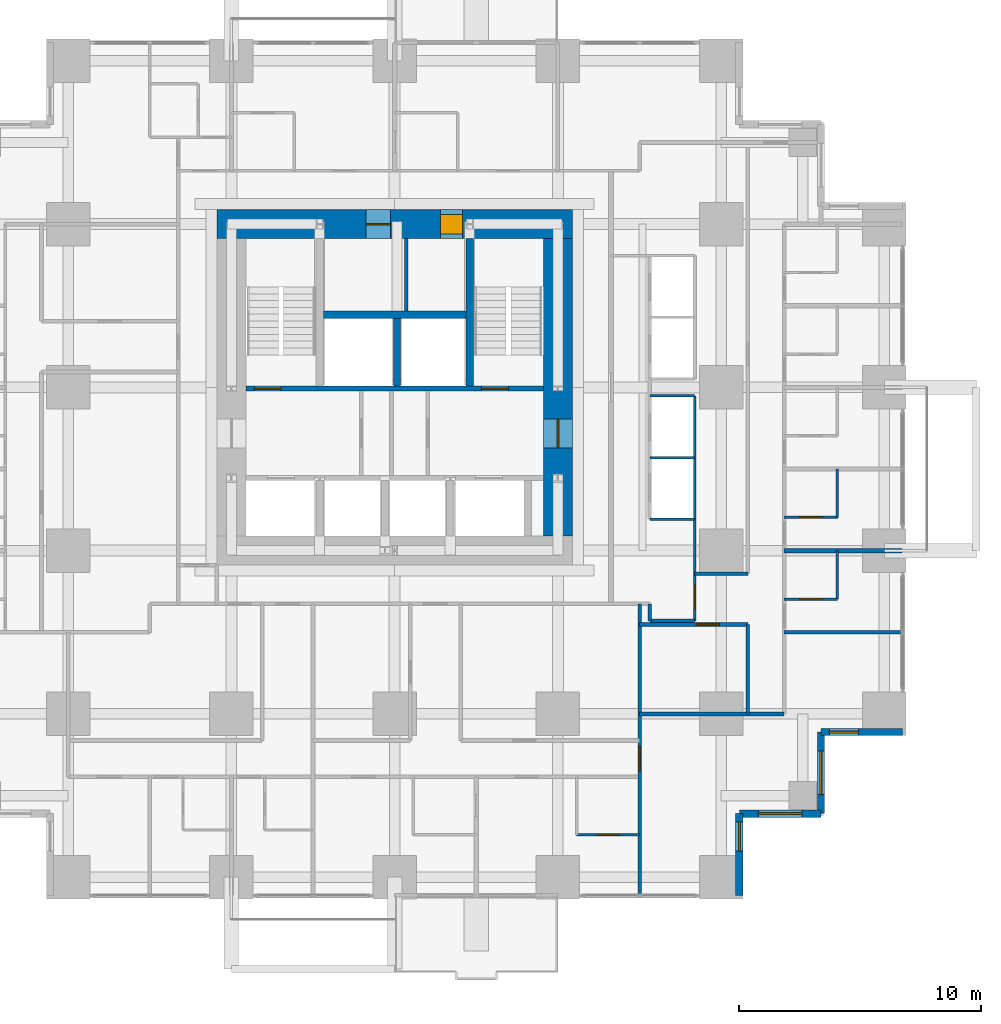
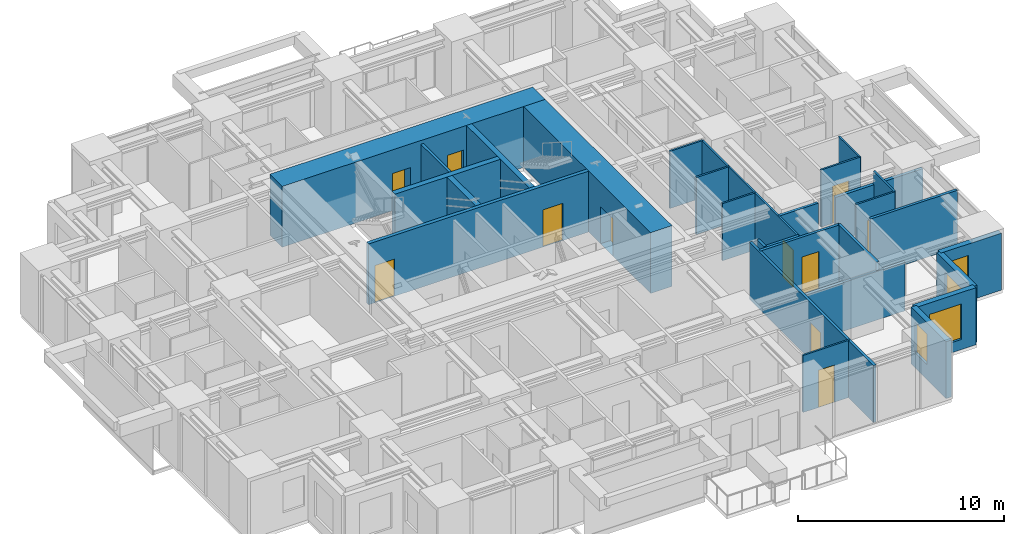
# One storey, part 9 of 12: 29 walls, 11 doors, 4 windows, 15 openings.
"""IFC4 building model written with IfcOpenShell, lengths in metres."""

from ifc_helpers import new_model, si_unit, direction, frame, frame_2d, origin, place, context, subcontext, project, spatial, rectangle, extrude, material, layer, layer_set, type_object, element, fill, save


model = new_model("IFC4")

# Units and contexts
model_context = context("Model", 3, precision=1e-05, world=origin(), true_north=direction((0.0, 1.0)))
body_context = subcontext(model_context, "Body", "Model", "MODEL_VIEW")
ifc_project = project(units=[si_unit("LENGTHUNIT", "METRE"), si_unit("AREAUNIT", "SQUARE_METRE"), si_unit("VOLUMEUNIT", "CUBIC_METRE"), si_unit("PLANEANGLEUNIT", "RADIAN"), si_unit("MASSUNIT", "GRAM", prefix="KILO")], contexts=[model_context])

# Site, building, storey
site_placement = place(None, origin())
site = spatial("IfcSite", under=ifc_project, at=site_placement, CompositionType="ELEMENT")
building_placement = place(site_placement, origin())
building = spatial("IfcBuilding", under=site, at=building_placement, Name="Nyansa Garden Tower", CompositionType="ELEMENT")
storey_placement = place(building_placement, frame((0.0, 0.0, 98.10009765625)))
storey = spatial("IfcBuildingStorey", under=building, at=storey_placement, Name="L26", CompositionType="ELEMENT", Elevation=98.10009765625)

# Wall
ifc_material_1 = material(Name="Dense blockwork, plastered both sides, 55 dB", Category="masonry")
ifc_layer_1 = layer(ifc_material_1, 0.175048828125)
ifc_layer_set_1 = layer_set([ifc_layer_1], Name="Acoustic party wall PW175")
wall_type_1 = type_object("IfcWallType", Name="Acoustic party wall PW175", PredefinedType="PARTITIONING", material=ifc_layer_set_1)
wall_1_placement = place(storey_placement, frame((36.35009765625, 13.5, 0.0), z_axis=(0.0, 0.0, 1.0), x_axis=(1.0, 0.0, 0.0)))
element("IfcWall", 1, at=wall_1_placement, inside=storey, type_object=wall_type_1, Name="Party wall", PredefinedType="PARTITIONING", context=body_context, shape_type="SweptSolid", body=[
    extrude(rectangle(XDim=4.8837890625, YDim=0.175048828125, at=frame_2d((2.44189453125, 0.0))), origin(), (0.0, 0.0, 1.0), 2.60986328125),
])

# Wall, openings, doors
ifc_material_2 = material(Name="Concrete C70/85", Category="concrete")
ifc_layer_2 = layer(ifc_material_2, 0.199951171875)
ifc_layer_set_2 = layer_set([ifc_layer_2], Name="Core inner wall CI200")
wall_type_2 = type_object("IfcWallType", Name="Core inner wall CI200", PredefinedType="SHEAR", material=ifc_layer_set_2)
wall_2_placement = place(storey_placement, frame((14.10009765625, 20.199951171875, 0.0), z_axis=(0.0, 0.0, 1.0), x_axis=(1.0, 0.0, 0.0)))
wall_2 = element("IfcWall", 2, at=wall_2_placement, inside=storey, type_object=wall_type_2, Name="Core inner wall L26", PredefinedType="SHEAR", context=body_context, shape_type="SweptSolid", body=[
    extrude(rectangle(XDim=12.2998046875, YDim=0.199951171875, at=frame_2d((6.14990234375, 0.0))), origin(), (0.0, 0.0, 1.0), 3.599853515625),
])
opening_1_placement = place(wall_2_placement, frame((0.35009765625, 0.0, 0.0)))
opening_1 = element("IfcOpeningElement", 3, at=opening_1_placement, cuts=wall_2, Name="Opening D05", PredefinedType="OPENING", context=body_context, shape_type="SweptSolid", body=[
    extrude(rectangle(XDim=1.10009765625, YDim=2.199951171875, at=frame_2d((0.550048828125, 1.10009765625))), frame((0.0, 0.10986328125, 0.0), z_axis=(0.0, -1.0, 0.0), x_axis=(1.0, 0.0, 0.0)), (0.0, 0.0, 1.0), 0.219970703125),
])
opening_2_placement = place(wall_2_placement, frame((9.75, 0.0, 0.0)))
opening_2 = element("IfcOpeningElement", 4, at=opening_2_placement, cuts=wall_2, Name="Opening D05", PredefinedType="OPENING", context=body_context, shape_type="SweptSolid", body=[
    extrude(rectangle(XDim=1.10009765625, YDim=2.199951171875, at=frame_2d((0.550048828125, 1.10009765625))), frame((0.0, 0.10986328125, 0.0), z_axis=(0.0, -1.0, 0.0), x_axis=(1.0, 0.0, 0.0)), (0.0, 0.0, 1.0), 0.219970703125),
])
ifc_material_3 = material(Name="Steel door, 120 minute fire resisting", Category="steel")
door_type_1 = type_object("IfcDoorType", Name="Stair door D05 1100x2200", OperationType="SINGLE_SWING_LEFT", PredefinedType="DOOR", material=ifc_material_3)
door_1_placement = place(opening_1_placement, origin())
door_1 = element("IfcDoor", 5, at=door_1_placement, inside=storey, type_object=door_type_1, Name="Stair S1 door", OperationType="SINGLE_SWING_LEFT", OverallHeight=2.199951171875, OverallWidth=1.10009765625, PredefinedType="DOOR", context=body_context, shape_type="SweptSolid", body=[
    extrude(rectangle(XDim=1.10009765625, YDim=2.199951171875, at=frame_2d((0.550048828125, 1.10009765625))), frame((0.0, 0.02490234375, 0.0), z_axis=(0.0, -1.0, 0.0), x_axis=(1.0, 0.0, 0.0)), (0.0, 0.0, 1.0), 0.050048828125),
])
fill(opening_1, door_1)
door_2_placement = place(opening_2_placement, origin())
door_2 = element("IfcDoor", 6, at=door_2_placement, inside=storey, type_object=door_type_1, Name="Stair S2 door", OperationType="SINGLE_SWING_LEFT", OverallHeight=2.199951171875, OverallWidth=1.10009765625, PredefinedType="DOOR", context=body_context, shape_type="SweptSolid", body=[
    extrude(rectangle(XDim=1.10009765625, YDim=2.199951171875, at=frame_2d((0.550048828125, 1.10009765625))), frame((0.0, 0.02490234375, 0.0), z_axis=(0.0, -1.0, 0.0), x_axis=(1.0, 0.0, 0.0)), (0.0, 0.0, 1.0), 0.050048828125),
])
fill(opening_2, door_2)

# Walls
ifc_material_4 = material(Name="Concrete C70/85", Category="concrete")
ifc_layer_3 = layer(ifc_material_4, 0.300048828125)
ifc_layer_set_3 = layer_set([ifc_layer_3], Name="Core inner wall CI300")
wall_type_3 = type_object("IfcWallType", Name="Core inner wall CI300", PredefinedType="SHEAR", material=ifc_layer_set_3)
wall_3_placement = place(storey_placement, frame((23.35009765625, 20.300048828125, 0.0), z_axis=(0.0, 0.0, 1.0), x_axis=(0.0, 1.0, 0.0)))
element("IfcWall", 7, at=wall_3_placement, inside=storey, type_object=wall_type_3, Name="Core inner wall L26", PredefinedType="SHEAR", context=body_context, shape_type="SweptSolid", body=[
    extrude(rectangle(XDim=6.099853515625, YDim=0.300048828125, at=frame_2d((3.0498046875, 0.0))), origin(), (0.0, 0.0, 1.0), 3.599853515625),
])
wall_4_placement = place(storey_placement, frame((20.35009765625, 20.300048828125, 0.0), z_axis=(0.0, 0.0, 1.0), x_axis=(0.0, 1.0, 0.0)))
element("IfcWall", 8, at=wall_4_placement, inside=storey, type_object=wall_type_3, Name="Core inner wall L26", PredefinedType="SHEAR", context=body_context, shape_type="SweptSolid", body=[
    extrude(rectangle(XDim=2.800048828125, YDim=0.300048828125, at=frame_2d((1.39990234375, 0.0))), origin(), (0.0, 0.0, 1.0), 3.599853515625),
])
wall_5_placement = place(storey_placement, frame((17.300048828125, 23.25, 0.0), z_axis=(0.0, 0.0, 1.0), x_axis=(1.0, 0.0, 0.0)))
element("IfcWall", 9, at=wall_5_placement, inside=storey, type_object=wall_type_3, Name="Core inner wall L26", PredefinedType="SHEAR", context=body_context, shape_type="SweptSolid", body=[
    extrude(rectangle(XDim=5.89990234375, YDim=0.300048828125, at=frame_2d((2.949951171875, 0.0))), origin(), (0.0, 0.0, 1.0), 3.599853515625),
])

# Wall, opening, door
ifc_material_5 = material(Name="Concrete C80/95", Category="concrete")
ifc_layer_4 = layer(ifc_material_5, 1.199951171875)
ifc_layer_set_4 = layer_set([ifc_layer_4], Name="Core wall CW1200")
wall_type_4 = type_object("IfcWallType", Name="Core wall CW1200", PredefinedType="SHEAR", material=ifc_layer_set_4)
wall_6_placement = place(storey_placement, frame((27.0, 14.10009765625, 0.0), z_axis=(0.0, 0.0, 1.0), x_axis=(0.0, 1.0, 0.0)))
wall_6 = element("IfcWall", 10, at=wall_6_placement, inside=storey, type_object=wall_type_4, Name="Core wall E L26", PredefinedType="SHEAR", context=body_context, shape_type="SweptSolid", body=[
    extrude(rectangle(XDim=12.2998046875, YDim=1.199951171875, at=frame_2d((6.14990234375, 0.0))), origin(), (0.0, 0.0, 1.0), 3.599853515625),
])
opening_3_placement = place(wall_6_placement, frame((3.64990234375, 0.0, 0.0)))
opening_3 = element("IfcOpeningElement", 11, at=opening_3_placement, cuts=wall_6, Name="Opening D06", PredefinedType="OPENING", context=body_context, shape_type="SweptSolid", body=[
    extrude(rectangle(XDim=1.199951171875, YDim=2.199951171875, at=frame_2d((0.60009765625, 1.10009765625))), frame((0.0, 0.60986328125, 0.0), z_axis=(0.0, -1.0, 0.0), x_axis=(1.0, 0.0, 0.0)), (0.0, 0.0, 1.0), 1.219970703125),
])
ifc_material_6 = material(Name="Steel door, 120 minute fire resisting", Category="steel")
door_type_2 = type_object("IfcDoorType", Name="Lobby door D06 1200x2200", OperationType="DOUBLE_DOOR_SINGLE_SWING", PredefinedType="DOOR", material=ifc_material_6)
door_3_placement = place(opening_3_placement, origin())
door_3 = element("IfcDoor", 12, at=door_3_placement, inside=storey, type_object=door_type_2, Name="Lift lobby door east", OperationType="DOUBLE_DOOR_SINGLE_SWING", OverallHeight=2.199951171875, OverallWidth=1.199951171875, PredefinedType="DOOR", context=body_context, shape_type="SweptSolid", body=[
    extrude(rectangle(XDim=1.199951171875, YDim=2.199951171875, at=frame_2d((0.60009765625, 1.10009765625))), frame((0.0, 0.02490234375, 0.0), z_axis=(0.0, -1.0, 0.0), x_axis=(1.0, 0.0, 0.0)), (0.0, 0.0, 1.0), 0.050048828125),
])
fill(opening_3, door_3)

# Wall, openings, doors
wall_7_placement = place(storey_placement, frame((27.60009765625, 27.0, 0.0), z_axis=(0.0, 0.0, 1.0), x_axis=(-1.0, 0.0, 0.0)))
wall_7 = element("IfcWall", 13, at=wall_7_placement, inside=storey, type_object=wall_type_4, Name="Core wall N L26", PredefinedType="SHEAR", context=body_context, shape_type="SweptSolid", body=[
    extrude(rectangle(XDim=14.7001953125, YDim=1.199951171875, at=frame_2d((7.35009765625, 0.0))), origin(), (0.0, 0.0, 1.0), 3.599853515625),
])
opening_4_placement = place(wall_7_placement, frame((4.550048828125, 0.0, 0.0)))
opening_4 = element("IfcOpeningElement", 14, at=opening_4_placement, cuts=wall_7, Name="Opening D15", PredefinedType="OPENING", context=body_context, shape_type="SweptSolid", body=[
    extrude(rectangle(XDim=0.89990234375, YDim=2.199951171875, at=frame_2d((0.449951171875, 1.10009765625))), frame((0.0, 0.60986328125, 0.0), z_axis=(0.0, -1.0, 0.0), x_axis=(1.0, 0.0, 0.0)), (0.0, 0.0, 1.0), 1.219970703125),
])
opening_5_placement = place(wall_7_placement, frame((7.52490234375, 0.0, 0.0)))
opening_5 = element("IfcOpeningElement", 15, at=opening_5_placement, cuts=wall_7, Name="Opening D07", PredefinedType="OPENING", context=body_context, shape_type="SweptSolid", body=[
    extrude(rectangle(XDim=1.0, YDim=2.199951171875, at=frame_2d((0.5, 1.10009765625))), frame((0.0, 0.60986328125, 0.0), z_axis=(0.0, -1.0, 0.0), x_axis=(1.0, 0.0, 0.0)), (0.0, 0.0, 1.0), 1.219970703125),
])
ifc_material_7 = material(Name="Timber flush door, 60 minute fire resisting, self-closing", Category="wood")
door_type_3 = type_object("IfcDoorType", Name="Core room door D15 900x2200", OperationType="SINGLE_SWING_LEFT", PredefinedType="DOOR", material=ifc_material_7)
door_4_placement = place(opening_4_placement, origin())
door_4 = element("IfcDoor", 16, at=door_4_placement, inside=storey, type_object=door_type_3, Name="Core room door", OperationType="SINGLE_SWING_LEFT", OverallHeight=2.199951171875, OverallWidth=0.89990234375, PredefinedType="DOOR", context=body_context, shape_type="SweptSolid", body=[
    extrude(rectangle(XDim=0.89990234375, YDim=2.199951171875, at=frame_2d((0.449951171875, 1.10009765625))), frame((0.0, 0.39990234375, 0.0), z_axis=(0.0, -1.0, 0.0), x_axis=(1.0, 0.0, 0.0)), (0.0, 0.0, 1.0), 0.800048828125),
])
fill(opening_4, door_4)
ifc_material_8 = material(Name="Steel door, 120 minute fire resisting", Category="steel")
door_type_4 = type_object("IfcDoorType", Name="Riser door D07 1000x2200", OperationType="SINGLE_SWING_LEFT", PredefinedType="DOOR", material=ifc_material_8)
door_5_placement = place(opening_5_placement, origin())
door_5 = element("IfcDoor", 17, at=door_5_placement, inside=storey, type_object=door_type_4, Name="Riser and refuse room door", OperationType="SINGLE_SWING_LEFT", OverallHeight=2.199951171875, OverallWidth=1.0, PredefinedType="DOOR", context=body_context, shape_type="SweptSolid", body=[
    extrude(rectangle(XDim=1.0, YDim=2.199951171875, at=frame_2d((0.5, 1.10009765625))), frame((0.0, 0.02490234375, 0.0), z_axis=(0.0, -1.0, 0.0), x_axis=(1.0, 0.0, 0.0)), (0.0, 0.0, 1.0), 0.050048828125),
])
fill(opening_5, door_5)

# Walls
ifc_material_9 = material(Name="Steel-stud shaft wall, two layers fire-rated board, EI 120", Category="steel")
ifc_layer_5 = layer(ifc_material_9, 0.10009765625)
ifc_layer_set_5 = layer_set([ifc_layer_5], Name="Lift shaft wall SW100")
wall_type_5 = type_object("IfcWallType", Name="Lift shaft wall SW100", PredefinedType="SHEAR", material=ifc_layer_set_5)
for number, where, z_axis, x_axis, name in (
    (18, (30.800048828125, 14.800048828125, 0.0), (0.0, 0.0, 1.0), (1.0, 0.0, 0.0), "Lift shaft wall"),
    (19, (30.800048828125, 17.35009765625, 0.0), (0.0, 0.0, 1.0), (1.0, 0.0, 0.0), "Lift shaft wall"),
    (20, (30.800048828125, 19.89990234375, 0.0), (0.0, 0.0, 1.0), (1.0, 0.0, 0.0), "Lift shaft wall"),
):
    element("IfcWall", number, at=place(storey_placement, frame(where, z_axis=z_axis, x_axis=x_axis)), inside=storey, type_object=wall_type_5, Name=name, PredefinedType="SHEAR", context=body_context, shape_type="SweptSolid", body=[
        extrude(rectangle(XDim=1.849853515625, YDim=0.10009765625, at=frame_2d((0.9248046875, 0.0))), origin(), (0.0, 0.0, 1.0), 3.375),
    ])

# Wall, opening, door
wall_8_placement = place(storey_placement, frame((32.64990234375, 10.60009765625, 0.0), z_axis=(0.0, 0.0, 1.0), x_axis=(0.0, 1.0, 0.0)))
wall_8 = element("IfcWall", 21, at=wall_8_placement, inside=storey, type_object=wall_type_5, Name="Lift shaft wall", PredefinedType="SHEAR", context=body_context, shape_type="SweptSolid", body=[
    extrude(rectangle(XDim=9.2998046875, YDim=0.10009765625, at=frame_2d((4.64990234375, 0.0))), origin(), (0.0, 0.0, 1.0), 3.375),
])
opening_6_placement = place(wall_8_placement, frame((0.5, 0.0, 0.0)))
opening_6 = element("IfcOpeningElement", 22, at=opening_6_placement, cuts=wall_8, Name="Opening D03", PredefinedType="OPENING", context=body_context, shape_type="SweptSolid", body=[
    extrude(rectangle(XDim=1.0, YDim=2.199951171875, at=frame_2d((0.5, 1.10009765625))), frame((0.0, 0.06005859375, 0.0), z_axis=(0.0, -1.0, 0.0), x_axis=(1.0, 0.0, 0.0)), (0.0, 0.0, 1.0), 0.1201171875),
])
ifc_material_10 = material(Name="Timber flush door, 60 minute fire resisting", Category="wood")
door_type_5 = type_object("IfcDoorType", Name="Cluster entrance door D03 1000x2200", OperationType="SINGLE_SWING_LEFT", PredefinedType="DOOR", material=ifc_material_10)
door_6_placement = place(opening_6_placement, origin())
door_6 = element("IfcDoor", 23, at=door_6_placement, inside=storey, type_object=door_type_5, Name="Door L26-043", OperationType="SINGLE_SWING_LEFT", OverallHeight=2.199951171875, OverallWidth=1.0, PredefinedType="DOOR", context=body_context, shape_type="SweptSolid", body=[
    extrude(rectangle(XDim=1.0, YDim=2.199951171875, at=frame_2d((0.5, 1.10009765625))), frame((0.0, 0.02490234375, 0.0), z_axis=(0.0, -1.0, 0.0), x_axis=(1.0, 0.0, 0.0)), (0.0, 0.0, 1.0), 0.050048828125),
])
fill(opening_6, door_6)

# Wall
ifc_material_11 = material(Name="Blockwork, plastered both sides", Category="masonry")
ifc_layer_6 = layer(ifc_material_11, 0.14990234375)
ifc_layer_set_6 = layer_set([ifc_layer_6], Name="Partition PW150")
wall_type_6 = type_object("IfcWallType", Name="Partition PW150", PredefinedType="PARTITIONING", material=ifc_layer_set_6)
wall_9_placement = place(storey_placement, frame((20.72509765625, 23.39990234375, 0.0), z_axis=(0.0, 0.0, 1.0), x_axis=(0.0, 1.0, 0.0)))
element("IfcWall", 24, at=wall_9_placement, inside=storey, type_object=wall_type_6, Name="Partition", PredefinedType="PARTITIONING", context=body_context, shape_type="SweptSolid", body=[
    extrude(rectangle(XDim=3.0, YDim=0.14990234375, at=frame_2d((1.5, 0.0))), origin(), (0.0, 0.0, 1.0), 3.375),
])

# Wall, opening, door
wall_10_placement = place(storey_placement, frame((30.375, -0.73388671875, 0.0), z_axis=(0.0, 0.0, 1.0), x_axis=(0.0, 1.0, 0.0)))
wall_10 = element("IfcWall", 25, at=wall_10_placement, inside=storey, type_object=wall_type_6, Name="Partition", PredefinedType="PARTITIONING", context=body_context, shape_type="SweptSolid", body=[
    extrude(rectangle(XDim=12.033935546875, YDim=0.14990234375, at=frame_2d((6.01708984375, 0.0))), origin(), (0.0, 0.0, 1.0), 3.375),
])
opening_7_placement = place(wall_10_placement, frame((5.134033203125, 0.0, 0.0)))
opening_7 = element("IfcOpeningElement", 26, at=opening_7_placement, cuts=wall_10, Name="Opening D03", PredefinedType="OPENING", context=body_context, shape_type="SweptSolid", body=[
    extrude(rectangle(XDim=1.0, YDim=2.199951171875, at=frame_2d((0.5, 1.10009765625))), frame((0.0, 0.0849609375, 0.0), z_axis=(0.0, -1.0, 0.0), x_axis=(1.0, 0.0, 0.0)), (0.0, 0.0, 1.0), 0.169921875),
])
door_7_placement = place(opening_7_placement, origin())
door_7 = element("IfcDoor", 27, at=door_7_placement, inside=storey, type_object=door_type_5, Name="Door L26-032", OperationType="SINGLE_SWING_LEFT", OverallHeight=2.199951171875, OverallWidth=1.0, PredefinedType="DOOR", context=body_context, shape_type="SweptSolid", body=[
    extrude(rectangle(XDim=1.0, YDim=2.199951171875, at=frame_2d((0.5, 1.10009765625))), frame((0.0, 0.02490234375, 0.0), z_axis=(0.0, -1.0, 0.0), x_axis=(1.0, 0.0, 0.0)), (0.0, 0.0, 1.0), 0.050048828125),
])
fill(opening_7, door_7)

# Wall
wall_11_placement = place(storey_placement, frame((30.375, 6.75, 0.0), z_axis=(0.0, 0.0, 1.0), x_axis=(1.0, 0.0, 0.0)))
element("IfcWall", 28, at=wall_11_placement, inside=storey, type_object=wall_type_6, Name="Partition", PredefinedType="PARTITIONING", context=body_context, shape_type="SweptSolid", body=[
    extrude(rectangle(XDim=5.97509765625, YDim=0.14990234375, at=frame_2d((2.987548828125, 0.0))), origin(), (0.0, 0.0, 1.0), 2.876953125),
])

# Wall, opening, door
wall_12_placement = place(storey_placement, frame((30.375, 10.449951171875, 0.0), z_axis=(0.0, 0.0, 1.0), x_axis=(1.0, 0.0, 0.0)))
wall_12 = element("IfcWall", 29, at=wall_12_placement, inside=storey, type_object=wall_type_6, Name="Partition", PredefinedType="PARTITIONING", context=body_context, shape_type="SweptSolid", body=[
    extrude(rectangle(XDim=4.47509765625, YDim=0.14990234375, at=frame_2d((2.237548828125, 0.0))), origin(), (0.0, 0.0, 1.0), 3.375),
])
opening_8_placement = place(wall_12_placement, frame((2.35009765625, 0.0, 0.0)))
opening_8 = element("IfcOpeningElement", 30, at=opening_8_placement, cuts=wall_12, Name="Opening D01", PredefinedType="OPENING", context=body_context, shape_type="SweptSolid", body=[
    extrude(rectangle(XDim=0.949951171875, YDim=2.199951171875, at=frame_2d((0.47509765625, 1.10009765625))), frame((0.0, 0.0849609375, 0.0), z_axis=(0.0, -1.0, 0.0), x_axis=(1.0, 0.0, 0.0)), (0.0, 0.0, 1.0), 0.169921875),
])
ifc_material_12 = material(Name="Timber flush door, 30 minute fire resisting", Category="wood")
door_type_6 = type_object("IfcDoorType", Name="Bedroom door D01 950x2200", OperationType="SINGLE_SWING_LEFT", PredefinedType="DOOR", material=ifc_material_12)
door_8_placement = place(opening_8_placement, origin())
door_8 = element("IfcDoor", 31, at=door_8_placement, inside=storey, type_object=door_type_6, Name="Door L26-045", OperationType="SINGLE_SWING_LEFT", OverallHeight=2.199951171875, OverallWidth=0.949951171875, PredefinedType="DOOR", context=body_context, shape_type="SweptSolid", body=[
    extrude(rectangle(XDim=0.949951171875, YDim=2.199951171875, at=frame_2d((0.47509765625, 1.10009765625))), frame((0.0, 0.02490234375, 0.0), z_axis=(0.0, -1.0, 0.0), x_axis=(1.0, 0.0, 0.0)), (0.0, 0.0, 1.0), 0.050048828125),
])
fill(opening_8, door_8)

# Walls
wall_13_placement = place(storey_placement, frame((30.800048828125, 10.60009765625, 0.0), z_axis=(0.0, 0.0, 1.0), x_axis=(0.0, 1.0, 0.0)))
element("IfcWall", 32, at=wall_13_placement, inside=storey, type_object=wall_type_6, Name="Partition", PredefinedType="PARTITIONING", context=body_context, shape_type="SweptSolid", body=[
    extrude(rectangle(XDim=0.699951171875, YDim=0.14990234375, at=frame_2d((0.35009765625, 0.0))), origin(), (0.0, 0.0, 1.0), 3.375),
])
wall_14_placement = place(storey_placement, frame((30.800048828125, 10.60009765625, 0.0), z_axis=(0.0, 0.0, 1.0), x_axis=(1.0, 0.0, 0.0)))
element("IfcWall", 33, at=wall_14_placement, inside=storey, type_object=wall_type_6, Name="Partition", PredefinedType="PARTITIONING", context=body_context, shape_type="SweptSolid", body=[
    extrude(rectangle(XDim=1.849853515625, YDim=0.14990234375, at=frame_2d((0.9248046875, 0.0))), origin(), (0.0, 0.0, 1.0), 3.375),
])
wall_15_placement = place(storey_placement, frame((32.64990234375, 12.550048828125, 0.0), z_axis=(0.0, 0.0, 1.0), x_axis=(1.0, 0.0, 0.0)))
element("IfcWall", 34, at=wall_15_placement, inside=storey, type_object=wall_type_6, Name="Partition", PredefinedType="PARTITIONING", context=body_context, shape_type="SweptSolid", body=[
    extrude(rectangle(XDim=2.2001953125, YDim=0.14990234375, at=frame_2d((1.10009765625, 0.0))), origin(), (0.0, 0.0, 1.0), 3.375),
])
wall_16_placement = place(storey_placement, frame((34.85009765625, 6.75, 0.0), z_axis=(0.0, 0.0, 1.0), x_axis=(0.0, 1.0, 0.0)))
element("IfcWall", 35, at=wall_16_placement, inside=storey, type_object=wall_type_6, Name="Partition", PredefinedType="PARTITIONING", context=body_context, shape_type="SweptSolid", body=[
    extrude(rectangle(XDim=3.699951171875, YDim=0.14990234375, at=frame_2d((1.85009765625, 0.0))), origin(), (0.0, 0.0, 1.0), 3.375),
])
wall_17_placement = place(storey_placement, frame((36.35009765625, 10.125, 0.0), z_axis=(0.0, 0.0, 1.0), x_axis=(1.0, 0.0, 0.0)))
element("IfcWall", 36, at=wall_17_placement, inside=storey, type_object=wall_type_6, Name="Partition", PredefinedType="PARTITIONING", context=body_context, shape_type="SweptSolid", body=[
    extrude(rectangle(XDim=4.8837890625, YDim=0.14990234375, at=frame_2d((2.44189453125, 0.0))), origin(), (0.0, 0.0, 1.0), 3.375),
])

# Wall, opening, window
ifc_material_13 = material(Name="Turquoise glazed tile on concrete blockwork", Category="masonry")
ifc_layer_7 = layer(ifc_material_13, 0.300048828125)
ifc_layer_set_7 = layer_set([ifc_layer_7], Name="Tiled corner wall TW300")
wall_type_7 = type_object("IfcWallType", Name="Tiled corner wall TW300", PredefinedType="SOLIDWALL", material=ifc_layer_set_7)
wall_18_placement = place(storey_placement, frame((34.5, -0.75, 0.0), z_axis=(0.0, 0.0, 1.0), x_axis=(0.0, 1.0, 0.0)))
wall_18 = element("IfcWall", 37, at=wall_18_placement, inside=storey, type_object=wall_type_7, Name="Tiled corner wall L26", PredefinedType="SOLIDWALL", context=body_context, shape_type="SweptSolid", body=[
    extrude(rectangle(XDim=3.375, YDim=0.300048828125, at=frame_2d((1.6875, 0.0))), origin(), (0.0, 0.0, 1.0), 3.375),
])
opening_9_placement = place(wall_18_placement, frame((1.83251953125, 0.0, 0.89990234375)))
opening_9 = element("IfcOpeningElement", 38, at=opening_9_placement, cuts=wall_18, Name="Opening W4", PredefinedType="OPENING", context=body_context, shape_type="SweptSolid", body=[
    extrude(rectangle(XDim=1.199951171875, YDim=1.800048828125, at=frame_2d((0.60009765625, 0.89990234375))), frame((0.0, 0.159912109375, 0.0), z_axis=(0.0, -1.0, 0.0), x_axis=(1.0, 0.0, 0.0)), (0.0, 0.0, 1.0), 0.320068359375),
])
ifc_material_14 = material(Name="Black aluminium frame, dark tinted double glazing", Category="aluminium")
window_type_1 = type_object("IfcWindowType", Name="Window W4 1200x1800", PartitioningType="SINGLE_PANEL", PredefinedType="WINDOW", material=ifc_material_14)
window_1_placement = place(opening_9_placement, origin())
window_1 = element("IfcWindow", 39, at=window_1_placement, inside=storey, type_object=window_type_1, Name="Corner window L26", OverallHeight=1.800048828125, OverallWidth=1.199951171875, PartitioningType="SINGLE_PANEL", PredefinedType="WINDOW", context=body_context, shape_type="SweptSolid", body=[
    extrude(rectangle(XDim=1.199951171875, YDim=1.800048828125, at=frame_2d((0.60009765625, 0.89990234375))), frame((0.0, 0.030029296875, 0.0), z_axis=(0.0, -1.0, 0.0), x_axis=(1.0, 0.0, 0.0)), (0.0, 0.0, 1.0), 0.06005859375),
])
fill(opening_9, window_1)

wall_19_placement = place(storey_placement, frame((34.5, 2.625, 0.0), z_axis=(0.0, 0.0, 1.0), x_axis=(1.0, 0.0, 0.0)))
wall_19 = element("IfcWall", 40, at=wall_19_placement, inside=storey, type_object=wall_type_7, Name="Tiled corner wall L26", PredefinedType="SOLIDWALL", context=body_context, shape_type="SweptSolid", body=[
    extrude(rectangle(XDim=3.375, YDim=0.300048828125, at=frame_2d((1.6875, 0.0))), origin(), (0.0, 0.0, 1.0), 3.375),
])
opening_10_placement = place(wall_19_placement, frame((0.78759765625, 0.0, 0.60009765625)))
opening_10 = element("IfcOpeningElement", 41, at=opening_10_placement, cuts=wall_19, Name="Opening W2", PredefinedType="OPENING", context=body_context, shape_type="SweptSolid", body=[
    extrude(rectangle(XDim=1.800048828125, YDim=2.10009765625, at=frame_2d((0.89990234375, 1.050048828125))), frame((0.0, 0.159912109375, 0.0), z_axis=(0.0, -1.0, 0.0), x_axis=(1.0, 0.0, 0.0)), (0.0, 0.0, 1.0), 0.320068359375),
])
ifc_material_15 = material(Name="Black aluminium frame, dark tinted double glazing", Category="aluminium")
window_type_2 = type_object("IfcWindowType", Name="Window W2 1800x2100", PartitioningType="SINGLE_PANEL", PredefinedType="WINDOW", material=ifc_material_15)
window_2_placement = place(opening_10_placement, origin())
window_2 = element("IfcWindow", 42, at=window_2_placement, inside=storey, type_object=window_type_2, Name="Corner window L26", OverallHeight=2.10009765625, OverallWidth=1.800048828125, PartitioningType="SINGLE_PANEL", PredefinedType="WINDOW", context=body_context, shape_type="SweptSolid", body=[
    extrude(rectangle(XDim=1.800048828125, YDim=2.10009765625, at=frame_2d((0.89990234375, 1.050048828125))), frame((0.0, 0.030029296875, 0.0), z_axis=(0.0, -1.0, 0.0), x_axis=(1.0, 0.0, 0.0)), (0.0, 0.0, 1.0), 0.06005859375),
])
fill(opening_10, window_2)

wall_20_placement = place(storey_placement, frame((37.875, 2.625, 0.0), z_axis=(0.0, 0.0, 1.0), x_axis=(0.0, 1.0, 0.0)))
wall_20 = element("IfcWall", 43, at=wall_20_placement, inside=storey, type_object=wall_type_7, Name="Tiled corner wall L26", PredefinedType="SOLIDWALL", context=body_context, shape_type="SweptSolid", body=[
    extrude(rectangle(XDim=3.375, YDim=0.300048828125, at=frame_2d((1.6875, 0.0))), origin(), (0.0, 0.0, 1.0), 3.375),
])
opening_11_placement = place(wall_20_placement, frame((0.78759765625, 0.0, 0.60009765625)))
opening_11 = element("IfcOpeningElement", 44, at=opening_11_placement, cuts=wall_20, Name="Opening W2", PredefinedType="OPENING", context=body_context, shape_type="SweptSolid", body=[
    extrude(rectangle(XDim=1.800048828125, YDim=2.10009765625, at=frame_2d((0.89990234375, 1.050048828125))), frame((0.0, 0.159912109375, 0.0), z_axis=(0.0, -1.0, 0.0), x_axis=(1.0, 0.0, 0.0)), (0.0, 0.0, 1.0), 0.320068359375),
])
window_3_placement = place(opening_11_placement, origin())
window_3 = element("IfcWindow", 45, at=window_3_placement, inside=storey, type_object=window_type_2, Name="Corner window L26", OverallHeight=2.10009765625, OverallWidth=1.800048828125, PartitioningType="SINGLE_PANEL", PredefinedType="WINDOW", context=body_context, shape_type="SweptSolid", body=[
    extrude(rectangle(XDim=1.800048828125, YDim=2.10009765625, at=frame_2d((0.89990234375, 1.050048828125))), frame((0.0, 0.030029296875, 0.0), z_axis=(0.0, -1.0, 0.0), x_axis=(1.0, 0.0, 0.0)), (0.0, 0.0, 1.0), 0.06005859375),
])
fill(opening_11, window_3)

wall_21_placement = place(storey_placement, frame((37.875, 6.0, 0.0), z_axis=(0.0, 0.0, 1.0), x_axis=(1.0, 0.0, 0.0)))
wall_21 = element("IfcWall", 46, at=wall_21_placement, inside=storey, type_object=wall_type_7, Name="Tiled corner wall L26", PredefinedType="SOLIDWALL", context=body_context, shape_type="SweptSolid", body=[
    extrude(rectangle(XDim=3.375, YDim=0.300048828125, at=frame_2d((1.6875, 0.0))), origin(), (0.0, 0.0, 1.0), 3.375),
])
opening_12_placement = place(wall_21_placement, frame((0.342529296875, 0.0, 0.89990234375)))
opening_12 = element("IfcOpeningElement", 47, at=opening_12_placement, cuts=wall_21, Name="Opening W4", PredefinedType="OPENING", context=body_context, shape_type="SweptSolid", body=[
    extrude(rectangle(XDim=1.199951171875, YDim=1.800048828125, at=frame_2d((0.60009765625, 0.89990234375))), frame((0.0, 0.159912109375, 0.0), z_axis=(0.0, -1.0, 0.0), x_axis=(1.0, 0.0, 0.0)), (0.0, 0.0, 1.0), 0.320068359375),
])
window_4_placement = place(opening_12_placement, origin())
window_4 = element("IfcWindow", 48, at=window_4_placement, inside=storey, type_object=window_type_1, Name="Corner window L26", OverallHeight=1.800048828125, OverallWidth=1.199951171875, PartitioningType="SINGLE_PANEL", PredefinedType="WINDOW", context=body_context, shape_type="SweptSolid", body=[
    extrude(rectangle(XDim=1.199951171875, YDim=1.800048828125, at=frame_2d((0.60009765625, 0.89990234375))), frame((0.0, 0.030029296875, 0.0), z_axis=(0.0, -1.0, 0.0), x_axis=(1.0, 0.0, 0.0)), (0.0, 0.0, 1.0), 0.06005859375),
])
fill(opening_12, window_4)

# Wall, opening, door
ifc_material_16 = material(Name="Moisture resistant board on steel studs, tiled", Category="steel")
ifc_layer_8 = layer(ifc_material_16, 0.10009765625)
ifc_layer_set_8 = layer_set([ifc_layer_8], Name="Wet wall PW100")
wall_type_8 = type_object("IfcWallType", Name="Wet wall PW100", PredefinedType="PARTITIONING", material=ifc_layer_set_8)
wall_22_placement = place(storey_placement, frame((27.77490234375, 1.75, 0.0), z_axis=(0.0, 0.0, 1.0), x_axis=(1.0, 0.0, 0.0)))
wall_22 = element("IfcWall", 49, at=wall_22_placement, inside=storey, type_object=wall_type_8, Name="Wet wall", PredefinedType="PARTITIONING", context=body_context, shape_type="SweptSolid", body=[
    extrude(rectangle(XDim=2.60009765625, YDim=0.10009765625, at=frame_2d((1.300048828125, 0.0))), origin(), (0.0, 0.0, 1.0), 3.375),
])
opening_13_placement = place(wall_22_placement, frame((0.85009765625, 0.0, 0.0)))
opening_13 = element("IfcOpeningElement", 50, at=opening_13_placement, cuts=wall_22, Name="Opening D02", PredefinedType="OPENING", context=body_context, shape_type="SweptSolid", body=[
    extrude(rectangle(XDim=0.89990234375, YDim=2.199951171875, at=frame_2d((0.449951171875, 1.10009765625))), frame((0.0, 0.06005859375, 0.0), z_axis=(0.0, -1.0, 0.0), x_axis=(1.0, 0.0, 0.0)), (0.0, 0.0, 1.0), 0.1201171875),
])
ifc_material_17 = material(Name="Timber flush door", Category="wood")
door_type_7 = type_object("IfcDoorType", Name="En-suite door D02 900x2200", OperationType="SINGLE_SWING_RIGHT", PredefinedType="DOOR", material=ifc_material_17)
door_9_placement = place(opening_13_placement, origin())
door_9 = element("IfcDoor", 51, at=door_9_placement, inside=storey, type_object=door_type_7, Name="Door L26-025", OperationType="SINGLE_SWING_RIGHT", OverallHeight=2.199951171875, OverallWidth=0.89990234375, PredefinedType="DOOR", context=body_context, shape_type="SweptSolid", body=[
    extrude(rectangle(XDim=0.89990234375, YDim=2.199951171875, at=frame_2d((0.449951171875, 1.10009765625))), frame((0.0, 0.02490234375, 0.0), z_axis=(0.0, -1.0, 0.0), x_axis=(1.0, 0.0, 0.0)), (0.0, 0.0, 1.0), 0.050048828125),
])
fill(opening_13, door_9)

wall_23_placement = place(storey_placement, frame((36.35009765625, 11.5, 0.0), z_axis=(0.0, 0.0, 1.0), x_axis=(1.0, 0.0, 0.0)))
wall_23 = element("IfcWall", 52, at=wall_23_placement, inside=storey, type_object=wall_type_8, Name="Wet wall", PredefinedType="PARTITIONING", context=body_context, shape_type="SweptSolid", body=[
    extrude(rectangle(XDim=2.199951171875, YDim=0.10009765625, at=frame_2d((1.10009765625, 0.0))), origin(), (0.0, 0.0, 1.0), 3.375),
])
opening_14_placement = place(wall_23_placement, frame((0.64990234375, 0.0, 0.0)))
opening_14 = element("IfcOpeningElement", 53, at=opening_14_placement, cuts=wall_23, Name="Opening D02", PredefinedType="OPENING", context=body_context, shape_type="SweptSolid", body=[
    extrude(rectangle(XDim=0.89990234375, YDim=2.199951171875, at=frame_2d((0.449951171875, 1.10009765625))), frame((0.0, 0.06005859375, 0.0), z_axis=(0.0, -1.0, 0.0), x_axis=(1.0, 0.0, 0.0)), (0.0, 0.0, 1.0), 0.1201171875),
])
door_10_placement = place(opening_14_placement, origin())
door_10 = element("IfcDoor", 54, at=door_10_placement, inside=storey, type_object=door_type_7, Name="Door L26-034", OperationType="SINGLE_SWING_RIGHT", OverallHeight=2.199951171875, OverallWidth=0.89990234375, PredefinedType="DOOR", context=body_context, shape_type="SweptSolid", body=[
    extrude(rectangle(XDim=0.89990234375, YDim=2.199951171875, at=frame_2d((0.449951171875, 1.10009765625))), frame((0.0, 0.02490234375, 0.0), z_axis=(0.0, -1.0, 0.0), x_axis=(1.0, 0.0, 0.0)), (0.0, 0.0, 1.0), 0.050048828125),
])
fill(opening_14, door_10)

wall_24_placement = place(storey_placement, frame((36.35009765625, 14.875, 0.0), z_axis=(0.0, 0.0, 1.0), x_axis=(1.0, 0.0, 0.0)))
wall_24 = element("IfcWall", 55, at=wall_24_placement, inside=storey, type_object=wall_type_8, Name="Wet wall", PredefinedType="PARTITIONING", context=body_context, shape_type="SweptSolid", body=[
    extrude(rectangle(XDim=2.199951171875, YDim=0.10009765625, at=frame_2d((1.10009765625, 0.0))), origin(), (0.0, 0.0, 1.0), 3.375),
])
opening_15_placement = place(wall_24_placement, frame((0.64990234375, 0.0, 0.0)))
opening_15 = element("IfcOpeningElement", 56, at=opening_15_placement, cuts=wall_24, Name="Opening D02", PredefinedType="OPENING", context=body_context, shape_type="SweptSolid", body=[
    extrude(rectangle(XDim=0.89990234375, YDim=2.199951171875, at=frame_2d((0.449951171875, 1.10009765625))), frame((0.0, 0.06005859375, 0.0), z_axis=(0.0, -1.0, 0.0), x_axis=(1.0, 0.0, 0.0)), (0.0, 0.0, 1.0), 0.1201171875),
])
door_11_placement = place(opening_15_placement, origin())
door_11 = element("IfcDoor", 57, at=door_11_placement, inside=storey, type_object=door_type_7, Name="Door L26-036", OperationType="SINGLE_SWING_RIGHT", OverallHeight=2.199951171875, OverallWidth=0.89990234375, PredefinedType="DOOR", context=body_context, shape_type="SweptSolid", body=[
    extrude(rectangle(XDim=0.89990234375, YDim=2.199951171875, at=frame_2d((0.449951171875, 1.10009765625))), frame((0.0, 0.02490234375, 0.0), z_axis=(0.0, -1.0, 0.0), x_axis=(1.0, 0.0, 0.0)), (0.0, 0.0, 1.0), 0.050048828125),
])
fill(opening_15, door_11)

# Walls
for number, where, z_axis, x_axis, name in (
    (58, (38.550048828125, 11.5, 0.0), (0.0, 0.0, 1.0), (0.0, 1.0, 0.0), "Wet wall"),
    (59, (38.550048828125, 14.875, 0.0), (0.0, 0.0, 1.0), (0.0, 1.0, 0.0), "Wet wall"),
):
    element("IfcWall", number, at=place(storey_placement, frame(where, z_axis=z_axis, x_axis=x_axis)), inside=storey, type_object=wall_type_8, Name=name, PredefinedType="PARTITIONING", context=body_context, shape_type="SweptSolid", body=[
        extrude(rectangle(XDim=2.0, YDim=0.10009765625, at=frame_2d((1.0, 0.0))), origin(), (0.0, 0.0, 1.0), 3.375),
    ])

save(model, "model.ifc")
